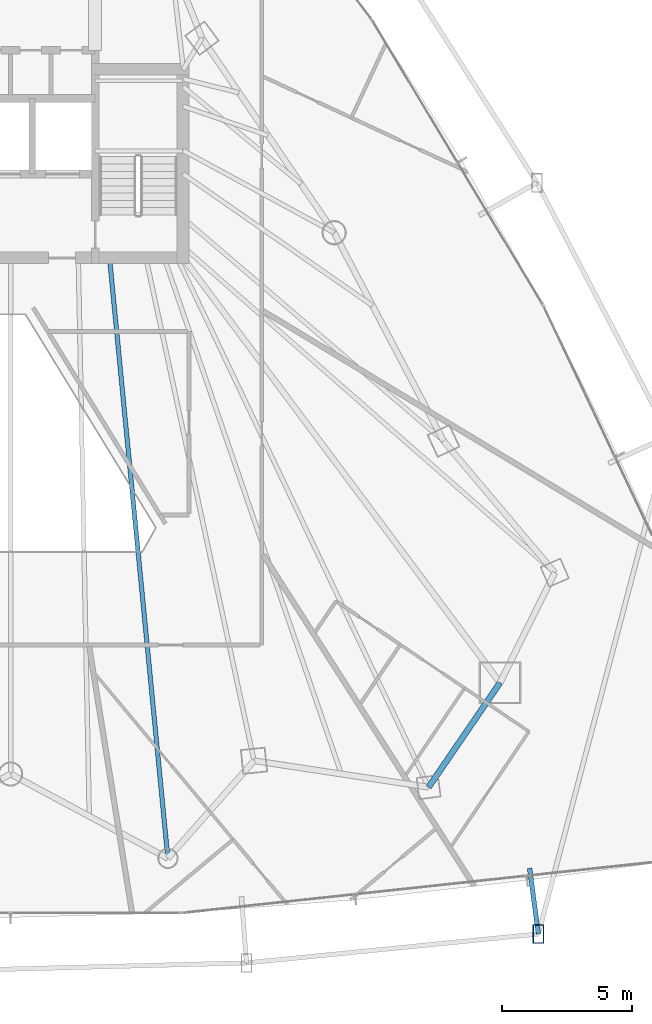
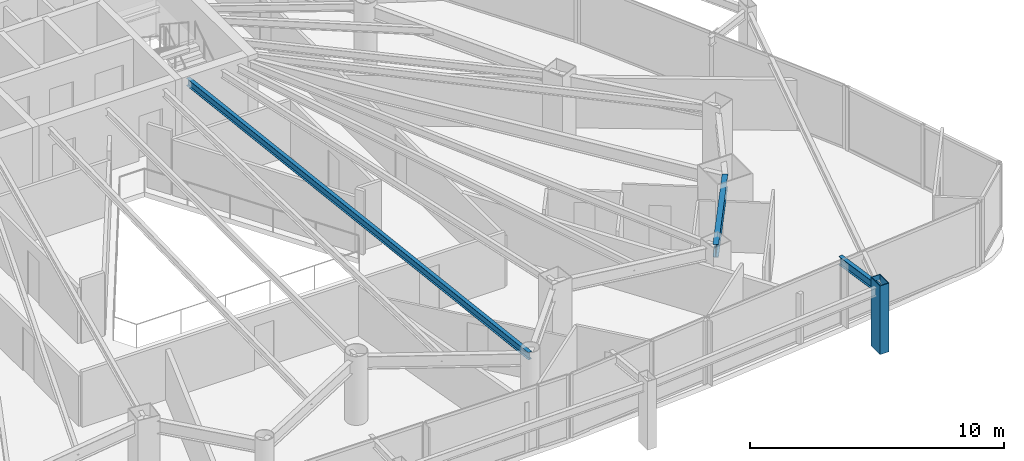
# One storey, part 15 of 38: 3 beams, 1 member.
"""IFC4 building model written with IfcOpenShell, lengths in metres."""

from ifc_helpers import new_model, si_unit, direction, frame, origin, origin_2d, place, context, subcontext, project, spatial, hollow_rectangle, i_section, extrude, material, material_profile, profile_set, type_object, element, save


model = new_model("IFC4")

# Units and contexts
model_context = context("Model", 3, precision=1e-05, world=origin(), true_north=direction((0.0, 1.0)))
body_context = subcontext(model_context, "Body", "Model", "MODEL_VIEW")
ifc_project = project(units=[si_unit("LENGTHUNIT", "METRE"), si_unit("AREAUNIT", "SQUARE_METRE"), si_unit("VOLUMEUNIT", "CUBIC_METRE"), si_unit("PLANEANGLEUNIT", "RADIAN"), si_unit("MASSUNIT", "GRAM", prefix="KILO")], contexts=[model_context])

# Site, building, storey
site_placement = place(None, origin())
site = spatial("IfcSite", under=ifc_project, at=site_placement, CompositionType="ELEMENT")
building_placement = place(site_placement, origin())
building = spatial("IfcBuilding", under=site, at=building_placement, Name="Orvanel Arch Residences", CompositionType="ELEMENT")
storey_placement = place(building_placement, frame((0.0, 0.0, 46.699951171875)))
storey = spatial("IfcBuildingStorey", under=building, at=storey_placement, Name="L12", CompositionType="ELEMENT", Elevation=46.699951171875)

# Beam
ifc_material_1 = material(Name="Structural steel AS/NZS 3679.1 Grade 300 (300 MPa)", Category="steel")
ifc_material_profile_1 = material_profile(ifc_material_1, i_section(OverallWidth=0.1708984375, OverallDepth=0.35595703125, WebThickness=0.00732421875, FlangeThickness=0.011474609375, at=origin_2d()), Name="360UB50.7")
ifc_profile_set_1 = profile_set([ifc_material_profile_1], Name="Structural steel AS/NZS 3679.1 Grade 300 (300 MPa)")
beam_type_1 = type_object("IfcBeamType", Name="BJ-360UB", PredefinedType="JOIST", material=ifc_profile_set_1)
beam_1_placement = place(storey_placement, frame((36.800048828125, 26.675048828125, 2.882080078125), z_axis=(0.096724091756, -0.995311232768, 0.0), x_axis=(0.995311232768, 0.096724091756, 0.0)))
element("IfcBeam", 1, at=beam_1_placement, inside=storey, type_object=beam_type_1, Name="L12 LSE Wing Floor Joist", PredefinedType="JOIST", context=body_context, shape_type="SweptSolid", body=[
    extrude(i_section(OverallWidth=0.1708984375, OverallDepth=0.35595703125, WebThickness=0.00732421875, FlangeThickness=0.011474609375, at=origin_2d()), origin(), (0.0, 0.0, 1.0), 23.1787109375),
])

# Member
ifc_material_2 = material(Name="Structural steel AS/NZS 3678 Grade 350", Category="steel")
ifc_material_profile_2 = material_profile(ifc_material_2, hollow_rectangle(XDim=0.419921875, YDim=0.719970703125, WallThickness=0.02490234375, at=origin_2d()), Name="RHS720x420x25")
ifc_profile_set_2 = profile_set([ifc_material_profile_2], Name="Structural steel AS/NZS 3678 Grade 350")
member_type = type_object("IfcMemberType", Name="CH-720RHS-EXT", PredefinedType="CHORD", material=ifc_profile_set_2)
member_placement = place(storey_placement, frame((53.27587890625, 0.699951171875, 0.0), z_axis=(0.0, 0.0, 1.0), x_axis=(1.0, 0.0, 0.0)))
element("IfcMember", 2, at=member_placement, inside=storey, type_object=member_type, Name="L12 Outer Perimeter Frame Post 08", PredefinedType="CHORD", context=body_context, shape_type="SweptSolid", body=[
    extrude(hollow_rectangle(XDim=0.419921875, YDim=0.719970703125, WallThickness=0.02490234375, at=origin_2d()), origin(), (0.0, 0.0, 1.0), 3.300048828125),
])

# Beams
ifc_material_profile_3 = material_profile(ifc_material_1, i_section(OverallWidth=0.177978515625, OverallDepth=0.406005859375, WebThickness=0.0078125, FlangeThickness=0.0126953125, at=origin_2d()), Name="410UB59.7")
ifc_profile_set_3 = profile_set([ifc_material_profile_3], Name="Structural steel AS/NZS 3679.1 Grade 300 (300 MPa)")
beam_type_2 = type_object("IfcBeamType", Name="OB-410UB-EXT", PredefinedType="SPANDREL", material=ifc_profile_set_3)
beam_2_placement = place(storey_placement, frame((52.93798828125, 3.22802734375, 2.85693359375), z_axis=(0.132477208655, -0.991186051752, 0.0), x_axis=(0.991186051752, 0.132477208655, 0.0)))
element("IfcBeam", 3, at=beam_2_placement, inside=storey, type_object=beam_type_2, Name="L12 Outer Frame Radial Tie Beam 08", PredefinedType="SPANDREL", context=body_context, shape_type="SweptSolid", body=[
    extrude(i_section(OverallWidth=0.177978515625, OverallDepth=0.406005859375, WebThickness=0.0078125, FlangeThickness=0.0126953125, at=origin_2d()), origin(), (0.0, 0.0, 1.0), 2.550537109375),
])
ifc_material_profile_4 = material_profile(ifc_material_1, i_section(OverallWidth=0.22900390625, OverallDepth=0.612060546875, WebThickness=0.011962890625, FlangeThickness=0.01953125, at=origin_2d()), Name="610UB125")
ifc_profile_set_4 = profile_set([ifc_material_profile_4], Name="Structural steel AS/NZS 3679.1 Grade 300 (300 MPa)")
beam_type_3 = type_object("IfcBeamType", Name="SP-610UB", PredefinedType="SPANDREL", material=ifc_profile_set_4)
beam_3_placement = place(storey_placement, frame((49.05908203125, 6.339111328125, 2.754150390625), z_axis=(0.564251579852, 0.825602903722, 0.0), x_axis=(-0.825602903722, 0.564251579852, 0.0)))
element("IfcBeam", 4, at=beam_3_placement, inside=storey, type_object=beam_type_3, Name="L12 Perimeter Spandrel Beam 10", PredefinedType="SPANDREL", context=body_context, shape_type="SweptSolid", body=[
    extrude(i_section(OverallWidth=0.22900390625, OverallDepth=0.612060546875, WebThickness=0.011962890625, FlangeThickness=0.01953125, at=origin_2d()), origin(), (0.0, 0.0, 1.0), 4.859375),
])

save(model, "model.ifc")
